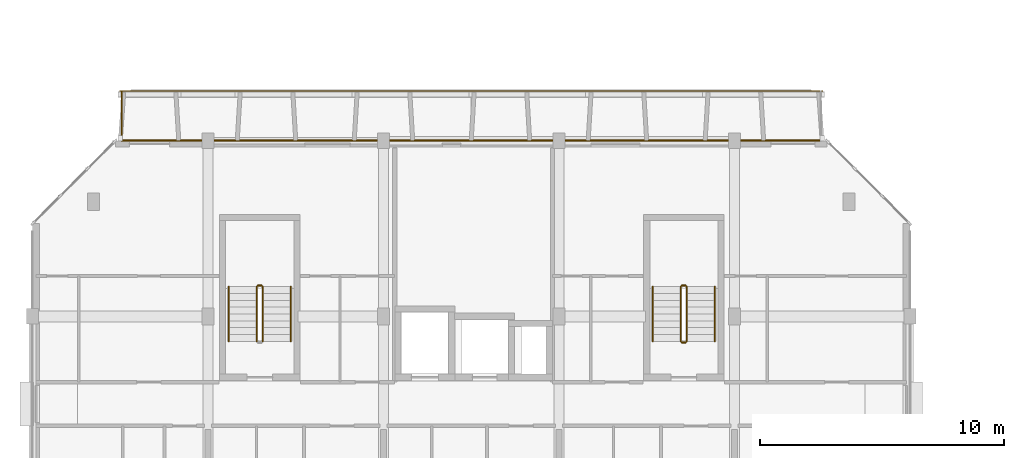
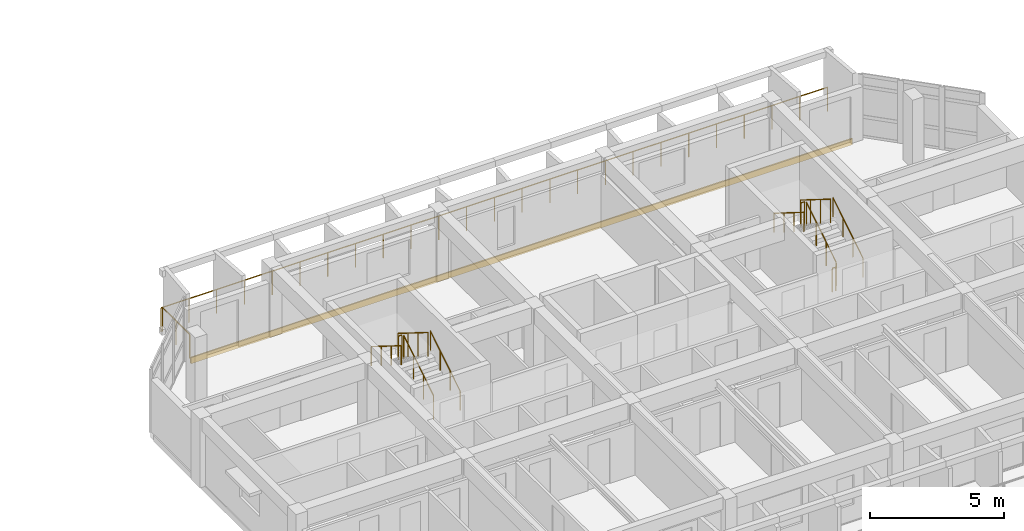
# One storey, part 43 of 51: 13 railings, 1 covering.
"""IFC4 building model written with IfcOpenShell, lengths in metres."""

import ifcopenshell
import ifcopenshell.guid

model = None  # the IFC model being written
_history = None  # IfcOwnerHistory: only IFC2X3 demands one
_inside = {}  # id of a spatial element -> (the spatial element, [elements in it])
_under = {}  # id of a project, library or spatial element -> (it, [spatial elements below it])
_declared = {}  # id of a project -> (the project, [libraries it declares])
_typed = {}  # id of a type object -> (the type object, [elements of that type])
_made_of = {}  # id of a material, layer set ... -> (it, [elements and type objects made of it])


def new_model(schema):
    """Start an empty IFC model of exactly this schema.

    Asked for "IFC4X3", IfcOpenShell would pick the latest addendum, in which some entities
    have other attributes; the version numbers below select the first issue.
    IFC2X3 requires an IfcOwnerHistory on every rooted entity: one is made here for all.
    """
    global model, _history
    if schema == "IFC4X3":
        model = ifcopenshell.file(schema_version=(4, 3, 0, 0))
    else:
        model = ifcopenshell.file(schema=schema)
    _inside.clear()
    _under.clear()
    _declared.clear()
    _typed.clear()
    _made_of.clear()
    _history = None
    if model.schema == "IFC2X3":
        org = make("IfcOrganization", Name="unknown")
        user = make(
            "IfcPersonAndOrganization",
            ThePerson=make("IfcPerson", FamilyName="unknown"),
            TheOrganization=org,
        )
        app = make(
            "IfcApplication",
            ApplicationDeveloper=org,
            Version="unknown",
            ApplicationFullName="unknown",
            ApplicationIdentifier="unknown",
        )
        _history = make(
            "IfcOwnerHistory",
            OwningUser=user,
            OwningApplication=app,
            ChangeAction="ADDED",
            CreationDate=0,
        )
    return model


def make(cls, **values):
    """One entity of the class cls with the attributes given. An attribute that is None is left unset."""
    return model.create_entity(
        cls, **{name: value for name, value in values.items() if value is not None}
    )


def rooted(cls, **values):
    """An entity with a GlobalId (a new one), such as an element, a storey or a relation."""
    return make(cls, GlobalId=ifcopenshell.guid.new(), OwnerHistory=_history, **values)


def si_unit(unit_type, name, prefix=None):
    """IfcSIUnit, for example si_unit("LENGTHUNIT", "METRE", prefix="MILLI")."""
    return make("IfcSIUnit", UnitType=unit_type, Prefix=prefix, Name=name)


def assignment(units):
    """IfcUnitAssignment: the units of a project."""
    return None if units is None else make("IfcUnitAssignment", Units=units)


def point(xyz):
    """IfcCartesianPoint."""
    return None if xyz is None else make("IfcCartesianPoint", Coordinates=xyz)


def direction(xyz):
    """IfcDirection."""
    return None if xyz is None else make("IfcDirection", DirectionRatios=xyz)


def frame(location, z_axis=None, x_axis=None):
    """IfcAxis2Placement3D, a coordinate frame: its origin and axes. An axis left out is left unset."""
    return make(
        "IfcAxis2Placement3D",
        Location=point(location),
        Axis=direction(z_axis),
        RefDirection=direction(x_axis),
    )


def frame_2d(location, x_axis=None):
    """IfcAxis2Placement2D, a coordinate frame in the plane: its origin and x axis."""
    return make(
        "IfcAxis2Placement2D", Location=point(location), RefDirection=direction(x_axis)
    )


def origin():
    """The frame at (0, 0, 0) with its axes left unset."""
    return frame((0.0, 0.0, 0.0))


def origin_2d():
    """The frame at (0, 0) in the plane with its x axis left unset."""
    return frame_2d((0.0, 0.0))


def place(relative_to, where):
    """IfcLocalPlacement: puts the frame where relative to a parent placement (None: the world)."""
    return make(
        "IfcLocalPlacement", PlacementRelTo=relative_to, RelativePlacement=where
    )


def context(
    kind, dimensions, precision=None, world=None, true_north=None, identifier=None
):
    """IfcGeometricRepresentationContext, for example the 3D "Model" context."""
    return make(
        "IfcGeometricRepresentationContext",
        ContextIdentifier=identifier,
        ContextType=kind,
        CoordinateSpaceDimension=dimensions,
        Precision=precision,
        WorldCoordinateSystem=world,
        TrueNorth=true_north,
    )


def subcontext(parent, identifier, kind, view, scale=None):
    """IfcGeometricRepresentationSubContext, for example "Body" below "Model"."""
    return make(
        "IfcGeometricRepresentationSubContext",
        ContextIdentifier=identifier,
        ContextType=kind,
        ParentContext=parent,
        TargetScale=scale,
        TargetView=view,
    )


def project(units=None, contexts=None):
    """IfcProject with its units and contexts."""
    return rooted(
        "IfcProject",
        Name="project",
        RepresentationContexts=contexts,
        UnitsInContext=assignment(units),
    )


def spatial(cls, under=None, at=None, **own):
    """A site, building, storey or space (cls), placed at a placement, below another one or the project."""
    s = rooted(cls, ObjectPlacement=at, **own)
    if under is not None:
        _under.setdefault(under.id(), (under, []))[1].append(s)
    return s


def profile(cls, at=None, kind="AREA", **sizes):
    """A parametric profile (cls). Its sizes go by their IFC names, for example OverallWidth=200.0."""
    return make(cls, ProfileType=kind, Position=at, **sizes)


def rectangle(**sizes):
    """IfcRectangleProfileDef."""
    return profile("IfcRectangleProfileDef", **sizes)


def circle(**sizes):
    """IfcCircleProfileDef."""
    return profile("IfcCircleProfileDef", **sizes)


def extrude(swept, where, along, depth):
    """IfcExtrudedAreaSolid: the profile swept, set in the frame where, extruded along a direction by depth."""
    return make(
        "IfcExtrudedAreaSolid",
        SweptArea=swept,
        Position=where,
        ExtrudedDirection=direction(along),
        Depth=depth,
    )


def shape(context_of_items, identifier, shape_type, items):
    """IfcShapeRepresentation: the items that make up one representation, for example the "Body"."""
    return make(
        "IfcShapeRepresentation",
        ContextOfItems=context_of_items,
        RepresentationIdentifier=identifier,
        RepresentationType=shape_type,
        Items=items,
    )


def material(Name=None, Category=None):
    """IfcMaterial."""
    return make("IfcMaterial", Name=Name, Category=Category)


def layer(
    of_material, thickness, ventilated=None, Name=None, Category=None, Priority=None
):
    """IfcMaterialLayer: one layer of a wall or slab, of a material (None: an air gap)."""
    return make(
        "IfcMaterialLayer",
        Material=of_material,
        LayerThickness=thickness,
        IsVentilated=ventilated,
        Name=Name,
        Category=Category,
        Priority=Priority,
    )


def layer_set(layers, Name=None):
    """IfcMaterialLayerSet."""
    return make("IfcMaterialLayerSet", MaterialLayers=layers, LayerSetName=Name)


def made_of(thing, what):
    """Note that an element or type object is made of a material, layer set ...; save() writes the relation."""
    if what is not None:
        _made_of.setdefault(what.id(), (what, []))[1].append(thing)
    return thing


def type_object(cls, material=None, **own):
    """A type object (cls), such as IfcWallType, which elements share."""
    return made_of(rooted(cls, **own), material)


def element(
    cls,
    number,
    at=None,
    inside=None,
    cuts=None,
    type_object=None,
    material=None,
    context=None,
    identifier="Body",
    shape_type=None,
    held_by="IfcProductDefinitionShape",
    body=None,
    shapes=None,
    **own,
):
    """One element of the class cls, such as IfcWall. Its Tag is "e" and its number.

    at: its placement. inside: the storey or other place that contains it. cuts: it is an
    opening in that element (IfcRelVoidsElement). A single representation is given by context,
    identifier, shape_type and body (its items); several are given by shapes. held_by: the class
    of the entity that holds the representations. save() writes the other relations.
    """
    e = rooted(cls, Tag="e%d" % number, ObjectPlacement=at, **own)
    if body is not None:
        shapes = [shape(context, identifier, shape_type, body)]
    if shapes is not None:
        e.Representation = make(held_by, Representations=shapes)
    if inside is not None:
        _inside.setdefault(inside.id(), (inside, []))[1].append(e)
    if cuts is not None:
        rooted(
            "IfcRelVoidsElement", RelatingBuildingElement=cuts, RelatedOpeningElement=e
        )
    if type_object is not None:
        _typed.setdefault(type_object.id(), (type_object, []))[1].append(e)
    return made_of(e, material)


def aggregate(whole, parts):
    """IfcRelAggregates: a whole, such as a stair, and the parts it consists of."""
    return rooted("IfcRelAggregates", RelatingObject=whole, RelatedObjects=parts)


def save(model, path):
    """Write the relations noted so far, then the file.

    IfcRelAggregates (storeys below a building ...), IfcRelContainedInSpatialStructure (elements
    in a storey), IfcRelDefinesByType, IfcRelAssociatesMaterial and IfcRelDeclares: one each for
    every whole, place, type object, material and project.
    """
    for whole, parts in _under.values():
        aggregate(whole, parts)
    for where, things in _inside.values():
        rooted(
            "IfcRelContainedInSpatialStructure",
            RelatedElements=things,
            RelatingStructure=where,
        )
    for kind, things in _typed.values():
        rooted("IfcRelDefinesByType", RelatedObjects=things, RelatingType=kind)
    for what, things in _made_of.values():
        rooted("IfcRelAssociatesMaterial", RelatedObjects=things, RelatingMaterial=what)
    for by, libraries in _declared.values():
        rooted("IfcRelDeclares", RelatingContext=by, RelatedDefinitions=libraries)
    model.write(path)


model = new_model("IFC4")

# Units and contexts
model_context = context("Model", 3, precision=1e-05, world=origin(), true_north=direction((0.0, 1.0)))
body_context = subcontext(model_context, "Body", "Model", "MODEL_VIEW")
ifc_project = project(units=[si_unit("LENGTHUNIT", "METRE"), si_unit("AREAUNIT", "SQUARE_METRE"), si_unit("VOLUMEUNIT", "CUBIC_METRE"), si_unit("PLANEANGLEUNIT", "RADIAN"), si_unit("MASSUNIT", "GRAM", prefix="KILO")], contexts=[model_context])

# Site, building, storey
site_placement = place(None, origin())
site = spatial("IfcSite", under=ifc_project, at=site_placement, CompositionType="ELEMENT")
building_placement = place(site_placement, origin())
building = spatial("IfcBuilding", under=site, at=building_placement, Name="Ochrevale Crest", CompositionType="ELEMENT")
storey_placement = place(building_placement, frame((0.0, 0.0, 11.85009765625)))
storey = spatial("IfcBuildingStorey", under=building, at=storey_placement, Name="L03", CompositionType="ELEMENT", Elevation=11.85009765625)

# Covering
ifc_material_1 = material(Name="Glazed terracotta rainscreen tile", Category="masonry")
ifc_layer = layer(ifc_material_1, 0.048095703125)
ifc_layer_set = layer_set([ifc_layer], Name="Glazed terracotta rainscreen tile")
covering_type = type_object("IfcCoveringType", Name="COV-CLAD-TER", PredefinedType="CLADDING", material=ifc_layer_set)
covering_placement = place(storey_placement, frame((18.0, 36.012451171875, -0.26025390625), z_axis=(0.0, 0.0, 1.0), x_axis=(-1.0, 0.0, 0.0)))
element("IfcCovering", 1, at=covering_placement, inside=storey, type_object=covering_type, Name="Block A L03 terracotta slab-edge spandrel cladding", PredefinedType="CLADDING", context=body_context, shape_type="SweptSolid", body=[
    extrude(rectangle(XDim=28.60009765625, YDim=0.06005859375, at=origin_2d()), origin(), (0.0, 0.0, 1.0), 0.280029296875),
])

# Railings
ifc_material_2 = material(Name="Galvanised steel", Category="steel")
railing_type_1 = type_object("IfcRailingType", Name="RL-BAL-1100", PredefinedType="BALUSTRADE", material=ifc_material_2)
railing_1_placement = place(storey_placement, frame((3.60009765625, 38.0400390625, 0.0)))
element("IfcRailing", 2, at=railing_1_placement, inside=storey, type_object=railing_type_1, Name="Block A L03 N balcony front balustrade", PredefinedType="BALUSTRADE", context=body_context, shape_type="SweptSolid", body=[
    extrude(circle(Radius=0.02392578125, at=origin_2d()), frame((0.0, 0.0, 1.0859375), z_axis=(1.0, 0.0, 0.0), x_axis=(0.0, 1.0, 0.0)), (0.0, 0.0, 1.0), 28.7998046875),
    extrude(circle(Radius=0.02099609375, at=origin_2d()), origin(), (0.0, 0.0, 1.0), 1.06201171875),
    extrude(circle(Radius=0.02099609375, at=origin_2d()), frame((1.199951171875, 0.0, 0.0)), (0.0, 0.0, 1.0), 1.06201171875),
    extrude(circle(Radius=0.02099609375, at=origin_2d()), frame((2.39990234375, 0.0, 0.0)), (0.0, 0.0, 1.0), 1.06201171875),
    extrude(circle(Radius=0.02099609375, at=origin_2d()), frame((3.60009765625, 0.0, 0.0)), (0.0, 0.0, 1.0), 1.06201171875),
    extrude(circle(Radius=0.02099609375, at=origin_2d()), frame((4.800048828125, 0.0, 0.0)), (0.0, 0.0, 1.0), 1.06201171875),
    extrude(circle(Radius=0.02099609375, at=origin_2d()), frame((6.0, 0.0, 0.0)), (0.0, 0.0, 1.0), 1.06201171875),
    extrude(circle(Radius=0.02099609375, at=origin_2d()), frame((7.199951171875, 0.0, 0.0)), (0.0, 0.0, 1.0), 1.06201171875),
    extrude(circle(Radius=0.02099609375, at=origin_2d()), frame((8.39990234375, 0.0, 0.0)), (0.0, 0.0, 1.0), 1.06201171875),
    extrude(circle(Radius=0.02099609375, at=origin_2d()), frame((9.599853515625, 0.0, 0.0)), (0.0, 0.0, 1.0), 1.06201171875),
    extrude(circle(Radius=0.02099609375, at=origin_2d()), frame((10.7998046875, 0.0, 0.0)), (0.0, 0.0, 1.0), 1.06201171875),
    extrude(circle(Radius=0.02099609375, at=origin_2d()), frame((12.0, 0.0, 0.0)), (0.0, 0.0, 1.0), 1.06201171875),
    extrude(circle(Radius=0.02099609375, at=origin_2d()), frame((13.199951171875, 0.0, 0.0)), (0.0, 0.0, 1.0), 1.06201171875),
    extrude(circle(Radius=0.02099609375, at=origin_2d()), frame((14.39990234375, 0.0, 0.0)), (0.0, 0.0, 1.0), 1.06201171875),
    extrude(circle(Radius=0.02099609375, at=origin_2d()), frame((15.599853515625, 0.0, 0.0)), (0.0, 0.0, 1.0), 1.06201171875),
    extrude(circle(Radius=0.02099609375, at=origin_2d()), frame((16.7998046875, 0.0, 0.0)), (0.0, 0.0, 1.0), 1.06201171875),
    extrude(circle(Radius=0.02099609375, at=origin_2d()), frame((18.0, 0.0, 0.0)), (0.0, 0.0, 1.0), 1.06201171875),
    extrude(circle(Radius=0.02099609375, at=origin_2d()), frame((19.199951171875, 0.0, 0.0)), (0.0, 0.0, 1.0), 1.06201171875),
    extrude(circle(Radius=0.02099609375, at=origin_2d()), frame((20.39990234375, 0.0, 0.0)), (0.0, 0.0, 1.0), 1.06201171875),
    extrude(circle(Radius=0.02099609375, at=origin_2d()), frame((21.599853515625, 0.0, 0.0)), (0.0, 0.0, 1.0), 1.06201171875),
    extrude(circle(Radius=0.02099609375, at=origin_2d()), frame((22.7998046875, 0.0, 0.0)), (0.0, 0.0, 1.0), 1.06201171875),
    extrude(circle(Radius=0.02099609375, at=origin_2d()), frame((23.999755859375, 0.0, 0.0)), (0.0, 0.0, 1.0), 1.06201171875),
    extrude(circle(Radius=0.02099609375, at=origin_2d()), frame((25.19970703125, 0.0, 0.0)), (0.0, 0.0, 1.0), 1.06201171875),
    extrude(circle(Radius=0.02099609375, at=origin_2d()), frame((26.39990234375, 0.0, 0.0)), (0.0, 0.0, 1.0), 1.06201171875),
    extrude(circle(Radius=0.02099609375, at=origin_2d()), frame((27.599853515625, 0.0, 0.0)), (0.0, 0.0, 1.0), 1.06201171875),
    extrude(circle(Radius=0.02099609375, at=origin_2d()), frame((28.7998046875, 0.0, 0.0)), (0.0, 0.0, 1.0), 1.06201171875),
])
railing_2_placement = place(storey_placement, frame((3.659912109375, 36.0, 0.0)))
element("IfcRailing", 3, at=railing_2_placement, inside=storey, type_object=railing_type_1, Name="Block A L03 N-W balcony side guard", PredefinedType="BALUSTRADE", context=body_context, shape_type="SweptSolid", body=[
    extrude(circle(Radius=0.02392578125, at=origin_2d()), frame((0.0, 0.0, 1.0859375), z_axis=(0.0, 1.0, 0.0), x_axis=(-1.0, 0.0, 0.0)), (0.0, 0.0, 1.0), 2.0400390625),
    extrude(circle(Radius=0.02099609375, at=origin_2d()), origin(), (0.0, 0.0, 1.0), 1.06201171875),
    extrude(circle(Radius=0.02099609375, at=origin_2d()), frame((0.0, 1.02001953125, 0.0)), (0.0, 0.0, 1.0), 1.06201171875),
    extrude(circle(Radius=0.02099609375, at=origin_2d()), frame((0.0, 2.0400390625, 0.0)), (0.0, 0.0, 1.0), 1.06201171875),
])
railing_type_2 = type_object("IfcRailingType", Name="RL-ST-GUARD", PredefinedType="BALUSTRADE", material=ifc_material_2)
railing_3_placement = place(storey_placement, frame((9.449951171875, 27.77490234375, 0.1748046875)))
element("IfcRailing", 4, at=railing_3_placement, inside=storey, type_object=railing_type_2, Name="L03 ST-A1 stair guard 1", PredefinedType="BALUSTRADE", context=body_context, shape_type="SweptSolid", body=[
    extrude(circle(Radius=0.02392578125, at=origin_2d()), frame((0.0, 0.0, 1.076171875), z_axis=(0.0, 0.847972341737, 0.530040477369), x_axis=(-1.0, 0.0, 0.0)), (0.0, 0.0, 1.0), 2.6416015625),
    extrude(circle(Radius=0.02099609375, at=origin_2d()), origin(), (0.0, 0.0, 1.0), 1.052001953125),
    extrude(circle(Radius=0.02099609375, at=origin_2d()), frame((0.0, 0.74658203125, 0.466796875)), (0.0, 0.0, 1.0), 1.052001953125),
    extrude(circle(Radius=0.02099609375, at=origin_2d()), frame((0.0, 1.493408203125, 0.933349609375)), (0.0, 0.0, 1.0), 1.052001953125),
    extrude(circle(Radius=0.02099609375, at=origin_2d()), frame((0.0, 2.239990234375, 1.400146484375)), (0.0, 0.0, 1.0), 1.052001953125),
])
railing_4_placement = place(storey_placement, frame((9.39990234375, 30.06494140625, 1.574951171875)))
element("IfcRailing", 5, at=railing_4_placement, inside=storey, type_object=railing_type_2, Name="L03 ST-A1 stair guard 2", PredefinedType="BALUSTRADE", context=body_context, shape_type="SweptSolid", body=[
    extrude(circle(Radius=0.02392578125, at=origin_2d()), frame((0.0, 0.0, 1.076171875), z_axis=(-1.0, 0.0, 0.0), x_axis=(0.0, -1.0, 0.0)), (0.0, 0.0, 1.0), 0.14990234375),
    extrude(circle(Radius=0.02099609375, at=origin_2d()), origin(), (0.0, 0.0, 1.0), 1.052001953125),
    extrude(circle(Radius=0.02099609375, at=origin_2d()), frame((-0.14990234375, 0.0, 0.0)), (0.0, 0.0, 1.0), 1.052001953125),
])
railing_5_placement = place(storey_placement, frame((9.199951171875, 30.014892578125, 1.75)))
element("IfcRailing", 6, at=railing_5_placement, inside=storey, type_object=railing_type_2, Name="L03 ST-A1 stair guard 3", PredefinedType="BALUSTRADE", context=body_context, shape_type="SweptSolid", body=[
    extrude(circle(Radius=0.02392578125, at=origin_2d()), frame((0.0, 0.0, 1.076171875), z_axis=(0.0, -0.848013881152, 0.529974015752), x_axis=(1.0, 0.0, 0.0)), (0.0, 0.0, 1.0), 2.641357421875),
    extrude(circle(Radius=0.02099609375, at=origin_2d()), origin(), (0.0, 0.0, 1.0), 1.052001953125),
    extrude(circle(Radius=0.02099609375, at=origin_2d()), frame((0.0, -0.74658203125, 0.466552734375)), (0.0, 0.0, 1.0), 1.052001953125),
    extrude(circle(Radius=0.02099609375, at=origin_2d()), frame((0.0, -1.493408203125, 0.933349609375)), (0.0, 0.0, 1.0), 1.052001953125),
    extrude(circle(Radius=0.02099609375, at=origin_2d()), frame((0.0, -2.239990234375, 1.39990234375)), (0.0, 0.0, 1.0), 1.052001953125),
])
railing_6_placement = place(storey_placement, frame((26.85009765625, 27.77490234375, 0.1748046875)))
element("IfcRailing", 7, at=railing_6_placement, inside=storey, type_object=railing_type_2, Name="L03 ST-A2 stair guard 1", PredefinedType="BALUSTRADE", context=body_context, shape_type="SweptSolid", body=[
    extrude(circle(Radius=0.02392578125, at=origin_2d()), frame((0.0, 0.0, 1.076171875), z_axis=(0.0, 0.847972341737, 0.530040477369), x_axis=(-1.0, 0.0, 0.0)), (0.0, 0.0, 1.0), 2.6416015625),
    extrude(circle(Radius=0.02099609375, at=origin_2d()), origin(), (0.0, 0.0, 1.0), 1.052001953125),
    extrude(circle(Radius=0.02099609375, at=origin_2d()), frame((0.0, 0.74658203125, 0.466796875)), (0.0, 0.0, 1.0), 1.052001953125),
    extrude(circle(Radius=0.02099609375, at=origin_2d()), frame((0.0, 1.493408203125, 0.933349609375)), (0.0, 0.0, 1.0), 1.052001953125),
    extrude(circle(Radius=0.02099609375, at=origin_2d()), frame((0.0, 2.239990234375, 1.400146484375)), (0.0, 0.0, 1.0), 1.052001953125),
])
railing_7_placement = place(storey_placement, frame((26.800048828125, 30.06494140625, 1.574951171875)))
element("IfcRailing", 8, at=railing_7_placement, inside=storey, type_object=railing_type_2, Name="L03 ST-A2 stair guard 2", PredefinedType="BALUSTRADE", context=body_context, shape_type="SweptSolid", body=[
    extrude(circle(Radius=0.02392578125, at=origin_2d()), frame((0.0, 0.0, 1.076171875), z_axis=(-1.0, 0.0, 0.0), x_axis=(0.0, -1.0, 0.0)), (0.0, 0.0, 1.0), 0.150146484375),
    extrude(circle(Radius=0.02099609375, at=origin_2d()), origin(), (0.0, 0.0, 1.0), 1.052001953125),
    extrude(circle(Radius=0.02099609375, at=origin_2d()), frame((-0.150146484375, 0.0, 0.0)), (0.0, 0.0, 1.0), 1.052001953125),
])
railing_8_placement = place(storey_placement, frame((26.60009765625, 30.014892578125, 1.75)))
element("IfcRailing", 9, at=railing_8_placement, inside=storey, type_object=railing_type_2, Name="L03 ST-A2 stair guard 3", PredefinedType="BALUSTRADE", context=body_context, shape_type="SweptSolid", body=[
    extrude(circle(Radius=0.02392578125, at=origin_2d()), frame((0.0, 0.0, 1.076171875), z_axis=(0.0, -0.848013881152, 0.529974015752), x_axis=(1.0, 0.0, 0.0)), (0.0, 0.0, 1.0), 2.641357421875),
    extrude(circle(Radius=0.02099609375, at=origin_2d()), origin(), (0.0, 0.0, 1.0), 1.052001953125),
    extrude(circle(Radius=0.02099609375, at=origin_2d()), frame((0.0, -0.74658203125, 0.466552734375)), (0.0, 0.0, 1.0), 1.052001953125),
    extrude(circle(Radius=0.02099609375, at=origin_2d()), frame((0.0, -1.493408203125, 0.933349609375)), (0.0, 0.0, 1.0), 1.052001953125),
    extrude(circle(Radius=0.02099609375, at=origin_2d()), frame((0.0, -2.239990234375, 1.39990234375)), (0.0, 0.0, 1.0), 1.052001953125),
])
railing_9_placement = place(storey_placement, frame((26.800048828125, 27.72509765625, 0.0)))
element("IfcRailing", 10, at=railing_9_placement, inside=storey, type_object=railing_type_2, Name="L03 ST-A2 stair guard 4", PredefinedType="BALUSTRADE", context=body_context, shape_type="SweptSolid", body=[
    extrude(circle(Radius=0.02392578125, at=origin_2d()), frame((0.0, 0.0, 1.076171875), z_axis=(-1.0, 0.0, 0.0), x_axis=(0.0, -1.0, 0.0)), (0.0, 0.0, 1.0), 0.150146484375),
    extrude(circle(Radius=0.02099609375, at=origin_2d()), origin(), (0.0, 0.0, 1.0), 1.052001953125),
    extrude(circle(Radius=0.02099609375, at=origin_2d()), frame((-0.150146484375, 0.0, 0.0)), (0.0, 0.0, 1.0), 1.052001953125),
])
ifc_material_3 = material(Name="Stainless steel", Category="steel")
railing_type_3 = type_object("IfcRailingType", Name="RL-ST-HRAIL", PredefinedType="HANDRAIL", material=ifc_material_3)
railing_10_placement = place(storey_placement, frame((10.60009765625, 27.77490234375, 0.1748046875)))
element("IfcRailing", 11, at=railing_10_placement, inside=storey, type_object=railing_type_3, Name="L03 ST-A1 stair handrail 1", PredefinedType="HANDRAIL", context=body_context, shape_type="SweptSolid", body=[
    extrude(circle(Radius=0.02392578125, at=origin_2d()), frame((0.0, 0.0, 0.8759765625), z_axis=(0.0, 0.847972341737, 0.530040477369), x_axis=(-1.0, 0.0, 0.0)), (0.0, 0.0, 1.0), 2.6416015625),
    extrude(circle(Radius=0.02099609375, at=origin_2d()), origin(), (0.0, 0.0, 1.0), 0.851806640625),
    extrude(circle(Radius=0.02099609375, at=origin_2d()), frame((0.0, 0.74658203125, 0.466796875)), (0.0, 0.0, 1.0), 0.851806640625),
    extrude(circle(Radius=0.02099609375, at=origin_2d()), frame((0.0, 1.493408203125, 0.933349609375)), (0.0, 0.0, 1.0), 0.851806640625),
    extrude(circle(Radius=0.02099609375, at=origin_2d()), frame((0.0, 2.239990234375, 1.400146484375)), (0.0, 0.0, 1.0), 0.851806640625),
])
railing_11_placement = place(storey_placement, frame((8.050048828125, 30.014892578125, 1.75)))
element("IfcRailing", 12, at=railing_11_placement, inside=storey, type_object=railing_type_3, Name="L03 ST-A1 stair handrail 2", PredefinedType="HANDRAIL", context=body_context, shape_type="SweptSolid", body=[
    extrude(circle(Radius=0.02392578125, at=origin_2d()), frame((0.0, 0.0, 0.8759765625), z_axis=(0.0, -0.848013881152, 0.529974015752), x_axis=(1.0, 0.0, 0.0)), (0.0, 0.0, 1.0), 2.641357421875),
    extrude(circle(Radius=0.02099609375, at=origin_2d()), origin(), (0.0, 0.0, 1.0), 0.851806640625),
    extrude(circle(Radius=0.02099609375, at=origin_2d()), frame((0.0, -0.74658203125, 0.466552734375)), (0.0, 0.0, 1.0), 0.851806640625),
    extrude(circle(Radius=0.02099609375, at=origin_2d()), frame((0.0, -1.493408203125, 0.933349609375)), (0.0, 0.0, 1.0), 0.851806640625),
    extrude(circle(Radius=0.02099609375, at=origin_2d()), frame((0.0, -2.239990234375, 1.39990234375)), (0.0, 0.0, 1.0), 0.851806640625),
])
railing_12_placement = place(storey_placement, frame((28.0, 27.77490234375, 0.1748046875)))
element("IfcRailing", 13, at=railing_12_placement, inside=storey, type_object=railing_type_3, Name="L03 ST-A2 stair handrail 1", PredefinedType="HANDRAIL", context=body_context, shape_type="SweptSolid", body=[
    extrude(circle(Radius=0.02392578125, at=origin_2d()), frame((0.0, 0.0, 0.8759765625), z_axis=(0.0, 0.847972341737, 0.530040477369), x_axis=(-1.0, 0.0, 0.0)), (0.0, 0.0, 1.0), 2.6416015625),
    extrude(circle(Radius=0.02099609375, at=origin_2d()), origin(), (0.0, 0.0, 1.0), 0.851806640625),
    extrude(circle(Radius=0.02099609375, at=origin_2d()), frame((0.0, 0.74658203125, 0.466796875)), (0.0, 0.0, 1.0), 0.851806640625),
    extrude(circle(Radius=0.02099609375, at=origin_2d()), frame((0.0, 1.493408203125, 0.933349609375)), (0.0, 0.0, 1.0), 0.851806640625),
    extrude(circle(Radius=0.02099609375, at=origin_2d()), frame((0.0, 2.239990234375, 1.400146484375)), (0.0, 0.0, 1.0), 0.851806640625),
])
railing_13_placement = place(storey_placement, frame((25.449951171875, 30.014892578125, 1.75)))
element("IfcRailing", 14, at=railing_13_placement, inside=storey, type_object=railing_type_3, Name="L03 ST-A2 stair handrail 2", PredefinedType="HANDRAIL", context=body_context, shape_type="SweptSolid", body=[
    extrude(circle(Radius=0.02392578125, at=origin_2d()), frame((0.0, 0.0, 0.8759765625), z_axis=(0.0, -0.848013881152, 0.529974015752), x_axis=(1.0, 0.0, 0.0)), (0.0, 0.0, 1.0), 2.641357421875),
    extrude(circle(Radius=0.02099609375, at=origin_2d()), origin(), (0.0, 0.0, 1.0), 0.851806640625),
    extrude(circle(Radius=0.02099609375, at=origin_2d()), frame((0.0, -0.74658203125, 0.466552734375)), (0.0, 0.0, 1.0), 0.851806640625),
    extrude(circle(Radius=0.02099609375, at=origin_2d()), frame((0.0, -1.493408203125, 0.933349609375)), (0.0, 0.0, 1.0), 0.851806640625),
    extrude(circle(Radius=0.02099609375, at=origin_2d()), frame((0.0, -2.239990234375, 1.39990234375)), (0.0, 0.0, 1.0), 0.851806640625),
])

save(model, "model.ifc")
